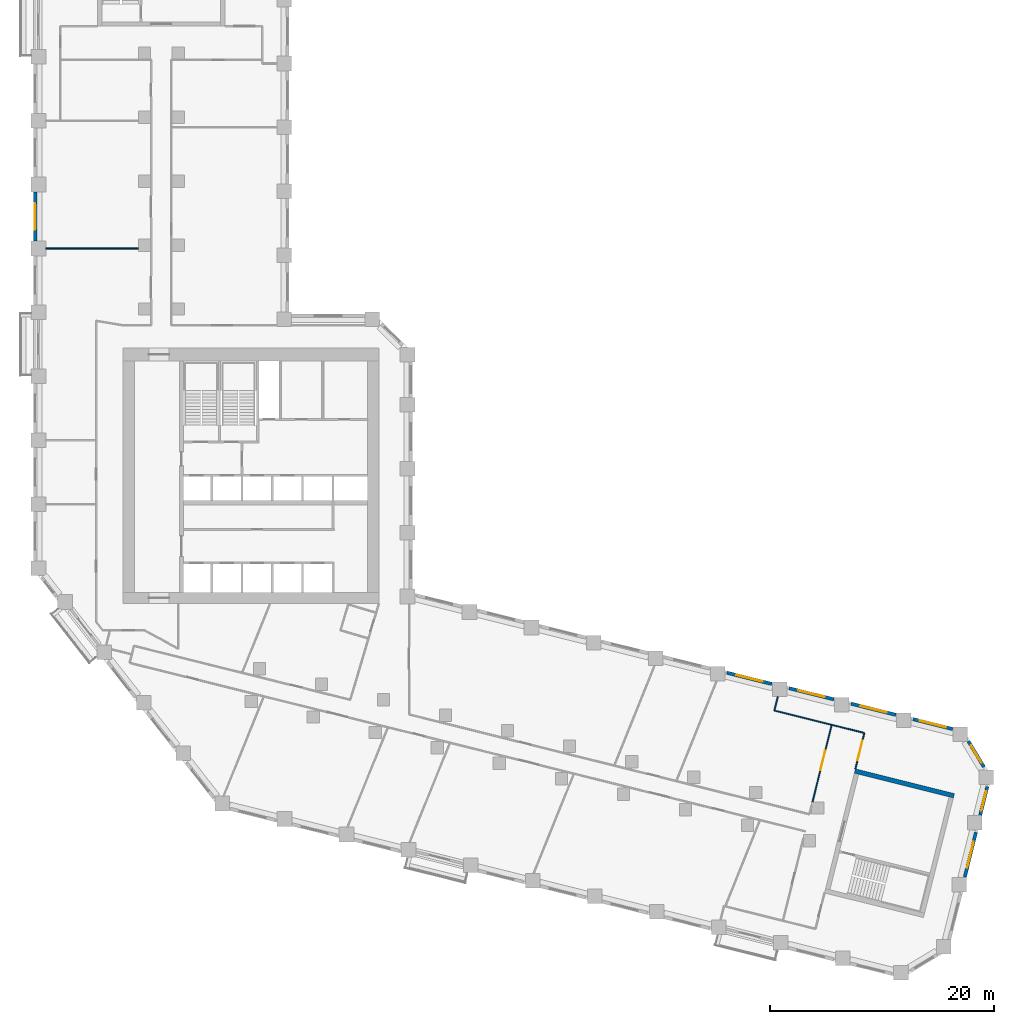
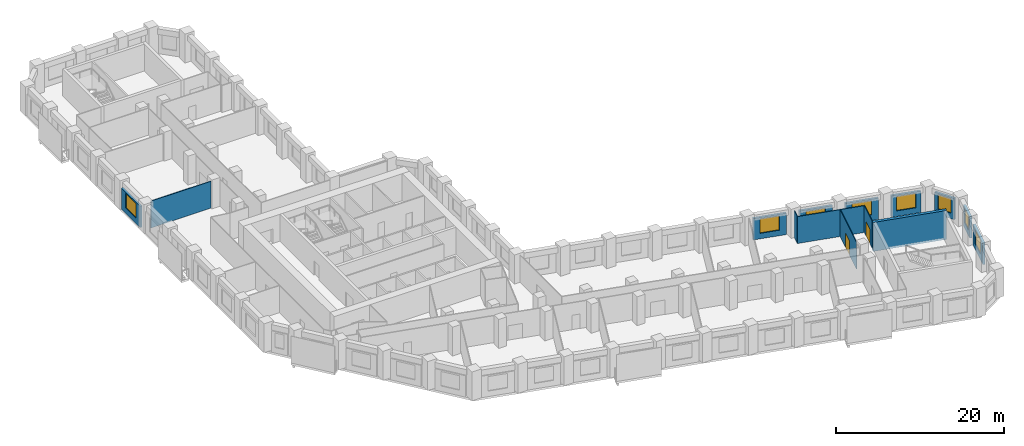
# One storey, part 7 of 10: 15 walls, 8 windows, 2 doors, 10 openings.
"""IFC4 building model written with IfcOpenShell, lengths in metres."""

from ifc_helpers import new_model, si_unit, direction, frame, frame_2d, origin, place, context, subcontext, project, spatial, rectangle, extrude, material, layer, layer_set, type_object, element, fill, save


model = new_model("IFC4")

# Units and contexts
model_context = context("Model", 3, precision=1e-05, world=origin(), true_north=direction((0.0, 1.0)))
body_context = subcontext(model_context, "Body", "Model", "MODEL_VIEW")
ifc_project = project(units=[si_unit("LENGTHUNIT", "METRE"), si_unit("AREAUNIT", "SQUARE_METRE"), si_unit("VOLUMEUNIT", "CUBIC_METRE"), si_unit("PLANEANGLEUNIT", "RADIAN"), si_unit("MASSUNIT", "GRAM", prefix="KILO")], contexts=[model_context])

# Site, building, storey
site_placement = place(None, origin())
site = spatial("IfcSite", under=ifc_project, at=site_placement, CompositionType="ELEMENT")
building_placement = place(site_placement, origin())
building = spatial("IfcBuilding", under=site, at=building_placement, Name="Meshkara Civic Tower", CompositionType="ELEMENT")
storey_placement = place(building_placement, frame((0.0, 0.0, 122.39990234375)))
storey = spatial("IfcBuildingStorey", under=building, at=storey_placement, Name="L27", CompositionType="ELEMENT", Elevation=122.39990234375)

# Wall, opening, door
ifc_material_1 = material(Name="Corridor wall 100")
ifc_layer_1 = layer(ifc_material_1, 0.10009765625)
ifc_layer_set_1 = layer_set([ifc_layer_1], Name="Corridor wall 100")
wall_type_1 = type_object("IfcWallType", Name="Corridor wall 100", PredefinedType="PARTITIONING", material=ifc_layer_set_1)
wall_1_placement = place(storey_placement, frame((71.177001953125, 3.278076171875, 0.0), z_axis=(0.0, 0.0, 1.0), x_axis=(-0.241853852342, -0.970312688831, 0.0)))
wall_1 = element("IfcWall", 1, at=wall_1_placement, inside=storey, type_object=wall_type_1, Name="L27-W028", PredefinedType="PARTITIONING", context=body_context, shape_type="SweptSolid", body=[
    extrude(rectangle(XDim=7.078369140625, YDim=0.10009765625, at=frame_2d((3.5390625, 0.0))), origin(), (0.0, 0.0, 1.0), 3.900146484375),
])
opening_1_placement = place(wall_1_placement, frame((2.3798828125, 0.0, 0.0)))
opening_1 = element("IfcOpeningElement", 2, at=opening_1_placement, cuts=wall_1, Name="Opening L27-D010", PredefinedType="OPENING", context=body_context, shape_type="SweptSolid", body=[
    extrude(rectangle(XDim=1.800048828125, YDim=2.10009765625, at=frame_2d((0.89990234375, 1.050048828125))), frame((0.0, 0.06005859375, 0.0), z_axis=(0.0, -1.0, 0.0), x_axis=(1.0, 0.0, 0.0)), (0.0, 0.0, 1.0), 0.1201171875),
])
ifc_material_2 = material(Name="Door pair 1800 x 2100")
door_type = type_object("IfcDoorType", Name="Door pair 1800 x 2100", OperationType="SINGLE_SWING_LEFT", PredefinedType="DOOR", material=ifc_material_2)
door_1_placement = place(opening_1_placement, origin())
door_1 = element("IfcDoor", 3, at=door_1_placement, inside=storey, type_object=door_type, Name="L27-D010", OperationType="DOUBLE_DOOR_SINGLE_SWING", OverallHeight=2.10009765625, OverallWidth=1.800048828125, PredefinedType="DOOR", context=body_context, shape_type="SweptSolid", body=[
    extrude(rectangle(XDim=1.800048828125, YDim=2.10009765625, at=frame_2d((0.89990234375, 1.050048828125))), frame((0.0, 0.02490234375, 0.0), z_axis=(0.0, -1.0, 0.0), x_axis=(1.0, 0.0, 0.0)), (0.0, 0.0, 1.0), 0.050048828125),
])
fill(opening_1, door_1)

wall_2_placement = place(storey_placement, frame((73.2900390625, -0.64990234375, 0.0), z_axis=(0.0, 0.0, 1.0), x_axis=(0.241786986316, 0.970329352977, 0.0)))
wall_2 = element("IfcWall", 4, at=wall_2_placement, inside=storey, type_object=wall_type_1, Name="L27-W029", PredefinedType="PARTITIONING", context=body_context, shape_type="SweptSolid", body=[
    extrude(rectangle(XDim=3.2998046875, YDim=0.10009765625, at=frame_2d((1.64990234375, 0.0))), origin(), (0.0, 0.0, 1.0), 3.900146484375),
])
opening_2_placement = place(wall_2_placement, frame((0.780029296875, 0.0, 0.0)))
opening_2 = element("IfcOpeningElement", 5, at=opening_2_placement, cuts=wall_2, Name="Opening L27-D011", PredefinedType="OPENING", context=body_context, shape_type="SweptSolid", body=[
    extrude(rectangle(XDim=1.800048828125, YDim=2.10009765625, at=frame_2d((0.89990234375, 1.050048828125))), frame((0.0, 0.06005859375, 0.0), z_axis=(0.0, -1.0, 0.0), x_axis=(1.0, 0.0, 0.0)), (0.0, 0.0, 1.0), 0.1201171875),
])
door_2_placement = place(opening_2_placement, origin())
door_2 = element("IfcDoor", 6, at=door_2_placement, inside=storey, type_object=door_type, Name="L27-D011", OperationType="DOUBLE_DOOR_SINGLE_SWING", OverallHeight=2.10009765625, OverallWidth=1.800048828125, PredefinedType="DOOR", context=body_context, shape_type="SweptSolid", body=[
    extrude(rectangle(XDim=1.800048828125, YDim=2.10009765625, at=frame_2d((0.89990234375, 1.050048828125))), frame((0.0, 0.02490234375, 0.0), z_axis=(0.0, -1.0, 0.0), x_axis=(1.0, 0.0, 0.0)), (0.0, 0.0, 1.0), 0.050048828125),
])
fill(opening_2, door_2)

# Wall
wall_3_placement = place(storey_placement, frame((74.087890625, 2.552001953125, 0.0), z_axis=(0.0, 0.0, 1.0), x_axis=(-0.970271610033, 0.242018600037, 0.0)))
element("IfcWall", 7, at=wall_3_placement, inside=storey, type_object=wall_type_1, Name="L27-W030", PredefinedType="PARTITIONING", context=body_context, shape_type="SweptSolid", body=[
    extrude(rectangle(XDim=3.0, YDim=0.10009765625, at=frame_2d((1.5, 0.0))), origin(), (0.0, 0.0, 1.0), 3.900146484375),
])

# Wall, opening, window
ifc_material_3 = material(Name="Insulated infill panel with bronze anodised aluminium cladding", Category="aluminium")
ifc_layer_2 = layer(ifc_material_3, 0.300048828125)
ifc_layer_set_2 = layer_set([ifc_layer_2], Name="EXTERNAL INFILL WALL 300")
wall_type_2 = type_object("IfcWallType", Name="EXTERNAL INFILL WALL 300", PredefinedType="SOLIDWALL", material=ifc_layer_set_2)
wall_4_placement = place(storey_placement, frame((81.962890625, 2.906982421875, 0.0), z_axis=(0.0, 0.0, 1.0), x_axis=(-0.970248953144, 0.24210941519, 0.0)))
wall_4 = element("IfcWall", 8, at=wall_4_placement, inside=storey, type_object=wall_type_2, Name="External wall", PredefinedType="SOLIDWALL", context=body_context, shape_type="SweptSolid", body=[
    extrude(rectangle(XDim=3.63916015625, YDim=0.300048828125, at=frame_2d((1.819580078125, 0.0))), origin(), (0.0, 0.0, 1.0), 3.10009765625),
])
opening_3_placement = place(wall_4_placement, frame((0.6201171875, 0.0, 0.800048828125)))
opening_3 = element("IfcOpeningElement", 9, at=opening_3_placement, cuts=wall_4, Name="Opening W7", PredefinedType="OPENING", context=body_context, shape_type="SweptSolid", body=[
    extrude(rectangle(XDim=2.39990234375, YDim=2.10009765625, at=frame_2d((1.199951171875, 1.050048828125))), frame((0.0, 0.159912109375, 0.0), z_axis=(0.0, -1.0, 0.0), x_axis=(1.0, 0.0, 0.0)), (0.0, 0.0, 1.0), 0.320068359375),
])
ifc_material_4 = material(Name="Tinted double glazing", Category="glass")
window_type_1 = type_object("IfcWindowType", Name="WINDOW 2400x2100", PartitioningType="DOUBLE_PANEL_VERTICAL", PredefinedType="WINDOW", material=ifc_material_4)
window_1_placement = place(opening_3_placement, origin())
window_1 = element("IfcWindow", 10, at=window_1_placement, inside=storey, type_object=window_type_1, Name="Window", OverallHeight=2.10009765625, OverallWidth=2.39990234375, PartitioningType="DOUBLE_PANEL_VERTICAL", PredefinedType="WINDOW", context=body_context, shape_type="SweptSolid", body=[
    extrude(rectangle(XDim=2.39990234375, YDim=2.10009765625, at=frame_2d((1.199951171875, 1.050048828125))), frame((0.0, 0.030029296875, 0.0), z_axis=(0.0, -1.0, 0.0), x_axis=(1.0, 0.0, 0.0)), (0.0, 0.0, 1.0), 0.06005859375),
])
fill(opening_3, window_1)

wall_5_placement = place(storey_placement, frame((76.903076171875, 4.1689453125, 0.0), z_axis=(0.0, 0.0, 1.0), x_axis=(-0.970267747908, 0.242034083076, 0.0)))
wall_5 = element("IfcWall", 11, at=wall_5_placement, inside=storey, type_object=wall_type_2, Name="External wall", PredefinedType="SOLIDWALL", context=body_context, shape_type="SweptSolid", body=[
    extrude(rectangle(XDim=4.12353515625, YDim=0.300048828125, at=frame_2d((2.061767578125, 0.0))), origin(), (0.0, 0.0, 1.0), 3.10009765625),
])
opening_4_placement = place(wall_5_placement, frame((0.862060546875, 0.0, 0.800048828125)))
opening_4 = element("IfcOpeningElement", 12, at=opening_4_placement, cuts=wall_5, Name="Opening W7", PredefinedType="OPENING", context=body_context, shape_type="SweptSolid", body=[
    extrude(rectangle(XDim=2.39990234375, YDim=2.10009765625, at=frame_2d((1.199951171875, 1.050048828125))), frame((0.0, 0.159912109375, 0.0), z_axis=(0.0, -1.0, 0.0), x_axis=(1.0, 0.0, 0.0)), (0.0, 0.0, 1.0), 0.320068359375),
])
window_2_placement = place(opening_4_placement, origin())
window_2 = element("IfcWindow", 13, at=window_2_placement, inside=storey, type_object=window_type_1, Name="Window", OverallHeight=2.10009765625, OverallWidth=2.39990234375, PartitioningType="DOUBLE_PANEL_VERTICAL", PredefinedType="WINDOW", context=body_context, shape_type="SweptSolid", body=[
    extrude(rectangle(XDim=2.39990234375, YDim=2.10009765625, at=frame_2d((1.199951171875, 1.050048828125))), frame((0.0, 0.030029296875, 0.0), z_axis=(0.0, -1.0, 0.0), x_axis=(1.0, 0.0, 0.0)), (0.0, 0.0, 1.0), 0.06005859375),
])
fill(opening_4, window_2)

wall_6_placement = place(storey_placement, frame((71.373046875, 5.548095703125, 0.0), z_axis=(0.0, 0.0, 1.0), x_axis=(-0.97029551261, 0.241922752565, 0.0)))
wall_6 = element("IfcWall", 14, at=wall_6_placement, inside=storey, type_object=wall_type_2, Name="External wall", PredefinedType="SOLIDWALL", context=body_context, shape_type="SweptSolid", body=[
    extrude(rectangle(XDim=4.12451171875, YDim=0.300048828125, at=frame_2d((2.062255859375, 0.0))), origin(), (0.0, 0.0, 1.0), 3.10009765625),
])
opening_5_placement = place(wall_6_placement, frame((0.862060546875, 0.0, 0.800048828125)))
opening_5 = element("IfcOpeningElement", 15, at=opening_5_placement, cuts=wall_6, Name="Opening W7", PredefinedType="OPENING", context=body_context, shape_type="SweptSolid", body=[
    extrude(rectangle(XDim=2.39990234375, YDim=2.10009765625, at=frame_2d((1.199951171875, 1.050048828125))), frame((0.0, 0.159912109375, 0.0), z_axis=(0.0, -1.0, 0.0), x_axis=(1.0, 0.0, 0.0)), (0.0, 0.0, 1.0), 0.320068359375),
])
window_3_placement = place(opening_5_placement, origin())
window_3 = element("IfcWindow", 16, at=window_3_placement, inside=storey, type_object=window_type_1, Name="Window", OverallHeight=2.10009765625, OverallWidth=2.39990234375, PartitioningType="DOUBLE_PANEL_VERTICAL", PredefinedType="WINDOW", context=body_context, shape_type="SweptSolid", body=[
    extrude(rectangle(XDim=2.39990234375, YDim=2.10009765625, at=frame_2d((1.199951171875, 1.050048828125))), frame((0.0, 0.030029296875, 0.0), z_axis=(0.0, -1.0, 0.0), x_axis=(1.0, 0.0, 0.0)), (0.0, 0.0, 1.0), 0.06005859375),
])
fill(opening_5, window_3)

wall_7_placement = place(storey_placement, frame((65.842041015625, 6.927001953125, 0.0), z_axis=(0.0, 0.0, 1.0), x_axis=(-0.970281616392, 0.241978480223, 0.0)))
wall_7 = element("IfcWall", 17, at=wall_7_placement, inside=storey, type_object=wall_type_2, Name="External wall", PredefinedType="SOLIDWALL", context=body_context, shape_type="SweptSolid", body=[
    extrude(rectangle(XDim=4.12451171875, YDim=0.300048828125, at=frame_2d((2.062255859375, 0.0))), origin(), (0.0, 0.0, 1.0), 3.10009765625),
])
opening_6_placement = place(wall_7_placement, frame((0.862060546875, 0.0, 0.800048828125)))
opening_6 = element("IfcOpeningElement", 18, at=opening_6_placement, cuts=wall_7, Name="Opening W7", PredefinedType="OPENING", context=body_context, shape_type="SweptSolid", body=[
    extrude(rectangle(XDim=2.39990234375, YDim=2.10009765625, at=frame_2d((1.199951171875, 1.050048828125))), frame((0.0, 0.159912109375, 0.0), z_axis=(0.0, -1.0, 0.0), x_axis=(1.0, 0.0, 0.0)), (0.0, 0.0, 1.0), 0.320068359375),
])
window_4_placement = place(opening_6_placement, origin())
window_4 = element("IfcWindow", 19, at=window_4_placement, inside=storey, type_object=window_type_1, Name="Window", OverallHeight=2.10009765625, OverallWidth=2.39990234375, PartitioningType="DOUBLE_PANEL_VERTICAL", PredefinedType="WINDOW", context=body_context, shape_type="SweptSolid", body=[
    extrude(rectangle(XDim=2.39990234375, YDim=2.10009765625, at=frame_2d((1.199951171875, 1.050048828125))), frame((0.0, 0.030029296875, 0.0), z_axis=(0.0, -1.0, 0.0), x_axis=(1.0, 0.0, 0.0)), (0.0, 0.0, 1.0), 0.06005859375),
])
fill(opening_6, window_4)

wall_8_placement = place(storey_placement, frame((0.14990234375, 50.804931640625, 0.0), z_axis=(0.0, 0.0, 1.0), x_axis=(0.0, -1.0, 0.0)))
wall_8 = element("IfcWall", 20, at=wall_8_placement, inside=storey, type_object=wall_type_2, Name="External wall", PredefinedType="SOLIDWALL", context=body_context, shape_type="SweptSolid", body=[
    extrude(rectangle(XDim=4.39990234375, YDim=0.300048828125, at=frame_2d((2.199951171875, 0.0))), origin(), (0.0, 0.0, 1.0), 3.10009765625),
])
opening_7_placement = place(wall_8_placement, frame((1.0, 0.0, 0.800048828125)))
opening_7 = element("IfcOpeningElement", 21, at=opening_7_placement, cuts=wall_8, Name="Opening W7", PredefinedType="OPENING", context=body_context, shape_type="SweptSolid", body=[
    extrude(rectangle(XDim=2.39990234375, YDim=2.10009765625, at=frame_2d((1.199951171875, 1.050048828125))), frame((0.0, 0.159912109375, 0.0), z_axis=(0.0, -1.0, 0.0), x_axis=(1.0, 0.0, 0.0)), (0.0, 0.0, 1.0), 0.320068359375),
])
window_5_placement = place(opening_7_placement, origin())
window_5 = element("IfcWindow", 22, at=window_5_placement, inside=storey, type_object=window_type_1, Name="Window", OverallHeight=2.10009765625, OverallWidth=2.39990234375, PartitioningType="DOUBLE_PANEL_VERTICAL", PredefinedType="WINDOW", context=body_context, shape_type="SweptSolid", body=[
    extrude(rectangle(XDim=2.39990234375, YDim=2.10009765625, at=frame_2d((1.199951171875, 1.050048828125))), frame((0.0, 0.030029296875, 0.0), z_axis=(0.0, -1.0, 0.0), x_axis=(1.0, 0.0, 0.0)), (0.0, 0.0, 1.0), 0.06005859375),
])
fill(opening_7, window_5)

wall_9_placement = place(storey_placement, frame((83.0439453125, -10.301025390625, 0.0), z_axis=(0.0, 0.0, 1.0), x_axis=(0.242034083076, 0.970267747908, 0.0)))
wall_9 = element("IfcWall", 23, at=wall_9_placement, inside=storey, type_object=wall_type_2, Name="External wall", PredefinedType="SOLIDWALL", context=body_context, shape_type="SweptSolid", body=[
    extrude(rectangle(XDim=4.12353515625, YDim=0.300048828125, at=frame_2d((2.061767578125, 0.0))), origin(), (0.0, 0.0, 1.0), 3.10009765625),
])
opening_8_placement = place(wall_9_placement, frame((0.862060546875, 0.0, 0.800048828125)))
opening_8 = element("IfcOpeningElement", 24, at=opening_8_placement, cuts=wall_9, Name="Opening W7", PredefinedType="OPENING", context=body_context, shape_type="SweptSolid", body=[
    extrude(rectangle(XDim=2.39990234375, YDim=2.10009765625, at=frame_2d((1.199951171875, 1.050048828125))), frame((0.0, 0.159912109375, 0.0), z_axis=(0.0, -1.0, 0.0), x_axis=(1.0, 0.0, 0.0)), (0.0, 0.0, 1.0), 0.320068359375),
])
window_6_placement = place(opening_8_placement, origin())
window_6 = element("IfcWindow", 25, at=window_6_placement, inside=storey, type_object=window_type_1, Name="Window", OverallHeight=2.10009765625, OverallWidth=2.39990234375, PartitioningType="DOUBLE_PANEL_VERTICAL", PredefinedType="WINDOW", context=body_context, shape_type="SweptSolid", body=[
    extrude(rectangle(XDim=2.39990234375, YDim=2.10009765625, at=frame_2d((1.199951171875, 1.050048828125))), frame((0.0, 0.030029296875, 0.0), z_axis=(0.0, -1.0, 0.0), x_axis=(1.0, 0.0, 0.0)), (0.0, 0.0, 1.0), 0.06005859375),
])
fill(opening_8, window_6)

wall_10_placement = place(storey_placement, frame((84.423095703125, -4.77099609375, 0.0), z_axis=(0.0, 0.0, 1.0), x_axis=(0.241941668773, 0.970290796056, 0.0)))
wall_10 = element("IfcWall", 26, at=wall_10_placement, inside=storey, type_object=wall_type_2, Name="External wall", PredefinedType="SOLIDWALL", context=body_context, shape_type="SweptSolid", body=[
    extrude(rectangle(XDim=2.611572265625, YDim=0.300048828125, at=frame_2d((1.3056640625, 0.0))), origin(), (0.0, 0.0, 1.0), 3.10009765625),
])
opening_9_placement = place(wall_10_placement, frame((0.406005859375, 0.0, 0.800048828125)))
opening_9 = element("IfcOpeningElement", 27, at=opening_9_placement, cuts=wall_10, Name="Opening W9", PredefinedType="OPENING", context=body_context, shape_type="SweptSolid", body=[
    extrude(rectangle(XDim=1.800048828125, YDim=2.10009765625, at=frame_2d((0.89990234375, 1.050048828125))), frame((0.0, 0.159912109375, 0.0), z_axis=(0.0, -1.0, 0.0), x_axis=(1.0, 0.0, 0.0)), (0.0, 0.0, 1.0), 0.320068359375),
])
ifc_material_5 = material(Name="Tinted double glazing", Category="glass")
window_type_2 = type_object("IfcWindowType", Name="WINDOW 1800x2100", PartitioningType="DOUBLE_PANEL_VERTICAL", PredefinedType="WINDOW", material=ifc_material_5)
window_7_placement = place(opening_9_placement, origin())
window_7 = element("IfcWindow", 28, at=window_7_placement, inside=storey, type_object=window_type_2, Name="Window", OverallHeight=2.10009765625, OverallWidth=1.800048828125, PartitioningType="DOUBLE_PANEL_VERTICAL", PredefinedType="WINDOW", context=body_context, shape_type="SweptSolid", body=[
    extrude(rectangle(XDim=1.800048828125, YDim=2.10009765625, at=frame_2d((0.89990234375, 1.050048828125))), frame((0.0, 0.030029296875, 0.0), z_axis=(0.0, -1.0, 0.0), x_axis=(1.0, 0.0, 0.0)), (0.0, 0.0, 1.0), 0.06005859375),
])
fill(opening_9, window_7)

wall_11_placement = place(storey_placement, frame((84.751953125, -0.48095703125, 0.0), z_axis=(0.0, 0.0, 1.0), x_axis=(-0.515138971391, 0.857106667898, 0.0)))
wall_11 = element("IfcWall", 29, at=wall_11_placement, inside=storey, type_object=wall_type_2, Name="External wall", PredefinedType="SOLIDWALL", context=body_context, shape_type="SweptSolid", body=[
    extrude(rectangle(XDim=2.6787109375, YDim=0.300048828125, at=frame_2d((1.33935546875, 0.0))), origin(), (0.0, 0.0, 1.0), 3.10009765625),
])
opening_10_placement = place(wall_11_placement, frame((0.43896484375, 0.0, 0.800048828125)))
opening_10 = element("IfcOpeningElement", 30, at=opening_10_placement, cuts=wall_11, Name="Opening W9", PredefinedType="OPENING", context=body_context, shape_type="SweptSolid", body=[
    extrude(rectangle(XDim=1.800048828125, YDim=2.10009765625, at=frame_2d((0.89990234375, 1.050048828125))), frame((0.0, 0.159912109375, 0.0), z_axis=(0.0, -1.0, 0.0), x_axis=(1.0, 0.0, 0.0)), (0.0, 0.0, 1.0), 0.320068359375),
])
window_8_placement = place(opening_10_placement, origin())
window_8 = element("IfcWindow", 31, at=window_8_placement, inside=storey, type_object=window_type_2, Name="Window", OverallHeight=2.10009765625, OverallWidth=1.800048828125, PartitioningType="DOUBLE_PANEL_VERTICAL", PredefinedType="WINDOW", context=body_context, shape_type="SweptSolid", body=[
    extrude(rectangle(XDim=1.800048828125, YDim=2.10009765625, at=frame_2d((0.89990234375, 1.050048828125))), frame((0.0, 0.030029296875, 0.0), z_axis=(0.0, -1.0, 0.0), x_axis=(1.0, 0.0, 0.0)), (0.0, 0.0, 1.0), 0.06005859375),
])
fill(opening_10, window_8)

# Walls
ifc_material_6 = material(Name="Concrete C70", Category="concrete")
ifc_layer_3 = layer(ifc_material_6, 0.39990234375)
ifc_layer_set_3 = layer_set([ifc_layer_3], Name="End core ring wall 400 C70")
wall_type_3 = type_object("IfcWallType", Name="End core ring wall 400 C70", PredefinedType="SHEAR", material=ifc_layer_set_3)
wall_12_placement = place(storey_placement, frame((73.240966796875, -0.843994140625, -0.2998046875), z_axis=(0.0, 0.0, 1.0), x_axis=(0.970312696888, -0.241853820019, 0.0)))
element("IfcWall", 32, at=wall_12_placement, inside=storey, type_object=wall_type_3, Name="L27-C032", PredefinedType="SHEAR", context=body_context, shape_type="SweptSolid", body=[
    extrude(rectangle(XDim=9.100341796875, YDim=0.39990234375, at=frame_2d((4.55029296875, 0.0))), origin(), (0.0, 0.0, 1.0), 4.199951171875),
])
ifc_material_7 = material(Name="Partition 100")
ifc_layer_4 = layer(ifc_material_7, 0.10009765625)
ifc_layer_set_4 = layer_set([ifc_layer_4], Name="Partition 100")
wall_type_4 = type_object("IfcWallType", Name="Partition 100", PredefinedType="PARTITIONING", material=ifc_layer_set_4)
wall_13_placement = place(storey_placement, frame((9.35009765625, 45.7548828125, 0.0), z_axis=(0.0, 0.0, 1.0), x_axis=(-1.0, 0.0, 0.0)))
element("IfcWall", 33, at=wall_13_placement, inside=storey, type_object=wall_type_4, Name="L27-W037", PredefinedType="PARTITIONING", context=body_context, shape_type="SweptSolid", body=[
    extrude(rectangle(XDim=8.25, YDim=0.10009765625, at=frame_2d((4.125, 0.0))), origin(), (0.0, 0.0, 1.0), 3.900146484375),
])
wall_14_placement = place(storey_placement, frame((66.06298828125, 4.552978515625, 0.0), z_axis=(0.0, 0.0, 1.0), x_axis=(0.242221476086, 0.970220983345, 0.0)))
element("IfcWall", 34, at=wall_14_placement, inside=storey, type_object=wall_type_4, Name="L27-W054", PredefinedType="PARTITIONING", context=body_context, shape_type="SweptSolid", body=[
    extrude(rectangle(XDim=1.280029296875, YDim=0.10009765625, at=frame_2d((0.64013671875, 0.0))), origin(), (0.0, 0.0, 1.0), 3.900146484375),
])
wall_15_placement = place(storey_placement, frame((71.180908203125, 3.277099609375, 0.0), z_axis=(0.0, 0.0, 1.0), x_axis=(-0.970302928568, 0.24189300695, 0.0)))
element("IfcWall", 35, at=wall_15_placement, inside=storey, type_object=wall_type_4, Name="L27-W055", PredefinedType="PARTITIONING", context=body_context, shape_type="SweptSolid", body=[
    extrude(rectangle(XDim=5.274658203125, YDim=0.10009765625, at=frame_2d((2.63720703125, 0.0))), origin(), (0.0, 0.0, 1.0), 3.900146484375),
])

save(model, "model.ifc")
